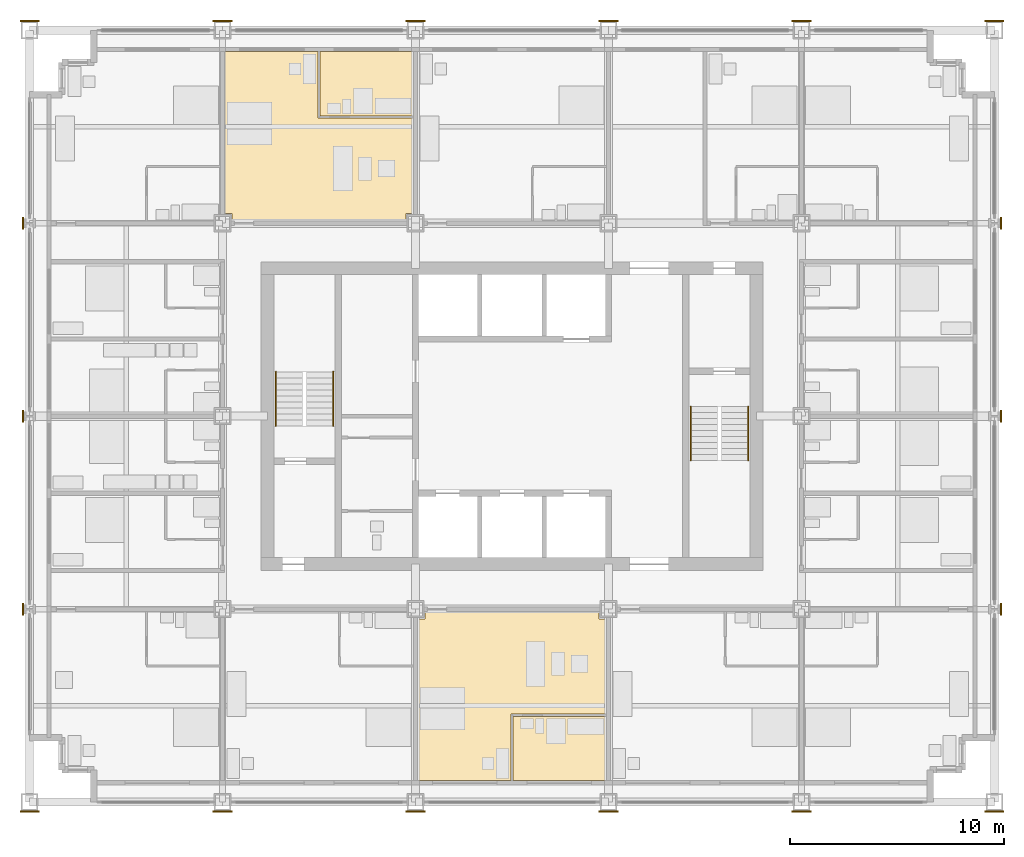
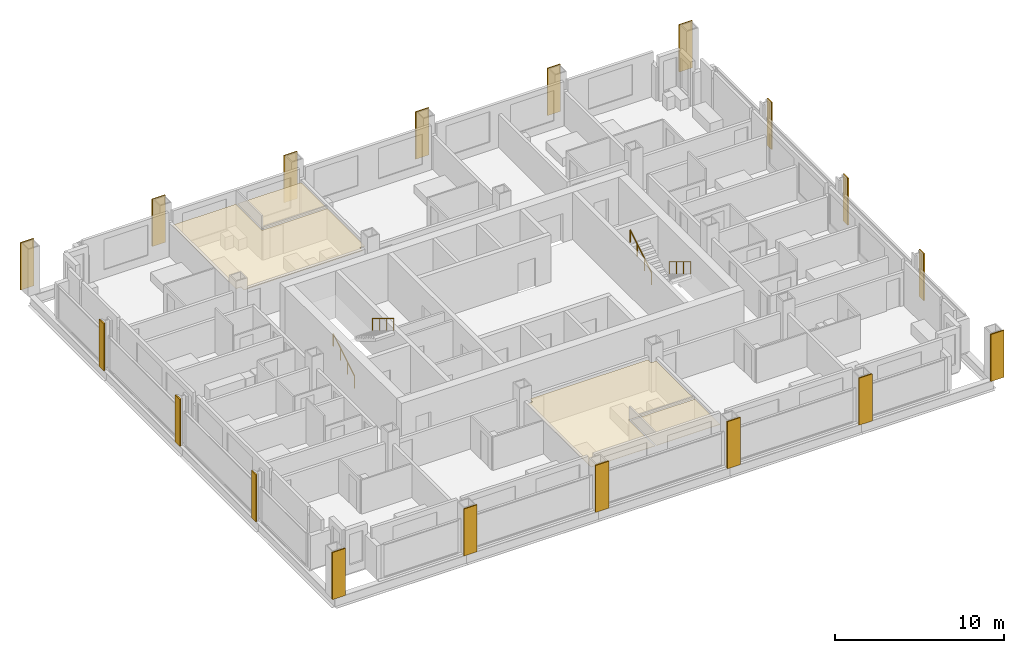
# One storey, part 14 of 16: 22 coverings, 4 railings.
"""IFC4 building model written with IfcOpenShell, lengths in metres."""

from ifc_helpers import new_model, si_unit, direction, frame, origin, origin_2d, place, context, subcontext, project, spatial, polyline, rectangle, circle, outline, extrude, material, layer, layer_set, type_object, element, save


model = new_model("IFC4")

# Units and contexts
model_context = context("Model", 3, precision=1e-05, world=origin(), true_north=direction((0.0, 1.0)))
body_context = subcontext(model_context, "Body", "Model", "MODEL_VIEW")
ifc_project = project(units=[si_unit("LENGTHUNIT", "METRE"), si_unit("AREAUNIT", "SQUARE_METRE"), si_unit("VOLUMEUNIT", "CUBIC_METRE"), si_unit("PLANEANGLEUNIT", "RADIAN"), si_unit("MASSUNIT", "GRAM", prefix="KILO")], contexts=[model_context])

# Site, building, storey
site_placement = place(None, origin())
site = spatial("IfcSite", under=ifc_project, at=site_placement, CompositionType="ELEMENT")
building_placement = place(site_placement, origin())
building = spatial("IfcBuilding", under=site, at=building_placement, Name="Loomwork Tower", CompositionType="ELEMENT")
storey_placement = place(building_placement, frame((0.0, 0.0, 111.199951171875)))
storey = spatial("IfcBuildingStorey", under=building, at=storey_placement, Name="L29", CompositionType="ELEMENT", Elevation=111.199951171875)

# Railings
ifc_material_1 = material(Name="Stainless steel handrail", Category="steel")
railing_type = type_object("IfcRailingType", Name="Handrail 900", PredefinedType="HANDRAIL", material=ifc_material_1)
railing_1_placement = place(storey_placement, frame((11.485107421875, 17.550048828125, 0.170166015625)))
element("IfcRailing", 1, at=railing_1_placement, inside=storey, type_object=railing_type, Name="Stair A handrail flight 1 L29", PredefinedType="HANDRAIL", context=body_context, shape_type="SweptSolid", body=[
    extrude(circle(Radius=0.02392578125, at=origin_2d()), frame((0.0, 0.0, 0.8759765625), z_axis=(0.0, 0.854821627497, 0.518921945155), x_axis=(-1.0, 0.0, 0.0)), (0.0, 0.0, 1.0), 2.947998046875),
    extrude(circle(Radius=0.02099609375, at=origin_2d()), origin(), (0.0, 0.0, 1.0), 0.851806640625),
    extrude(circle(Radius=0.02099609375, at=origin_2d()), frame((0.0, 0.840087890625, 0.510009765625)), (0.0, 0.0, 1.0), 0.851806640625),
    extrude(circle(Radius=0.02099609375, at=origin_2d()), frame((0.0, 1.679931640625, 1.019775390625)), (0.0, 0.0, 1.0), 0.851806640625),
    extrude(circle(Radius=0.02099609375, at=origin_2d()), frame((0.0, 2.52001953125, 1.52978515625)), (0.0, 0.0, 1.0), 0.851806640625),
])
railing_2_placement = place(storey_placement, frame((14.1650390625, 20.070068359375, 1.8701171875)))
element("IfcRailing", 2, at=railing_2_placement, inside=storey, type_object=railing_type, Name="Stair A handrail flight 2 L29", PredefinedType="HANDRAIL", context=body_context, shape_type="SweptSolid", body=[
    extrude(circle(Radius=0.02392578125, at=origin_2d()), frame((0.0, 0.0, 0.8759765625), z_axis=(0.0, -0.85478489116, 0.518982456201), x_axis=(1.0, 0.0, 0.0)), (0.0, 0.0, 1.0), 2.9482421875),
    extrude(circle(Radius=0.02099609375, at=origin_2d()), origin(), (0.0, 0.0, 1.0), 0.851806640625),
    extrude(circle(Radius=0.02099609375, at=origin_2d()), frame((0.0, -0.840087890625, 0.510009765625)), (0.0, 0.0, 1.0), 0.851806640625),
    extrude(circle(Radius=0.02099609375, at=origin_2d()), frame((0.0, -1.679931640625, 1.02001953125)), (0.0, 0.0, 1.0), 0.851806640625),
    extrude(circle(Radius=0.02099609375, at=origin_2d()), frame((0.0, -2.52001953125, 1.530029296875)), (0.0, 0.0, 1.0), 0.851806640625),
])
railing_3_placement = place(storey_placement, frame((33.514892578125, 18.449951171875, 0.170166015625)))
element("IfcRailing", 3, at=railing_3_placement, inside=storey, type_object=railing_type, Name="Stair B handrail flight 1 L29", PredefinedType="HANDRAIL", context=body_context, shape_type="SweptSolid", body=[
    extrude(circle(Radius=0.02392578125, at=origin_2d()), frame((0.0, 0.0, 0.8759765625), z_axis=(0.0, -0.854821627497, 0.518921945155), x_axis=(1.0, 0.0, 0.0)), (0.0, 0.0, 1.0), 2.947998046875),
    extrude(circle(Radius=0.02099609375, at=origin_2d()), origin(), (0.0, 0.0, 1.0), 0.851806640625),
    extrude(circle(Radius=0.02099609375, at=origin_2d()), frame((0.0, -0.840087890625, 0.510009765625)), (0.0, 0.0, 1.0), 0.851806640625),
    extrude(circle(Radius=0.02099609375, at=origin_2d()), frame((0.0, -1.679931640625, 1.019775390625)), (0.0, 0.0, 1.0), 0.851806640625),
    extrude(circle(Radius=0.02099609375, at=origin_2d()), frame((0.0, -2.52001953125, 1.52978515625)), (0.0, 0.0, 1.0), 0.851806640625),
])
railing_4_placement = place(storey_placement, frame((30.8349609375, 15.929931640625, 1.8701171875)))
element("IfcRailing", 4, at=railing_4_placement, inside=storey, type_object=railing_type, Name="Stair B handrail flight 2 L29", PredefinedType="HANDRAIL", context=body_context, shape_type="SweptSolid", body=[
    extrude(circle(Radius=0.02392578125, at=origin_2d()), frame((0.0, 0.0, 0.8759765625), z_axis=(0.0, 0.85478489116, 0.518982456201), x_axis=(-1.0, 0.0, 0.0)), (0.0, 0.0, 1.0), 2.9482421875),
    extrude(circle(Radius=0.02099609375, at=origin_2d()), origin(), (0.0, 0.0, 1.0), 0.851806640625),
    extrude(circle(Radius=0.02099609375, at=origin_2d()), frame((0.0, 0.840087890625, 0.510009765625)), (0.0, 0.0, 1.0), 0.851806640625),
    extrude(circle(Radius=0.02099609375, at=origin_2d()), frame((0.0, 1.679931640625, 1.02001953125)), (0.0, 0.0, 1.0), 0.851806640625),
    extrude(circle(Radius=0.02099609375, at=origin_2d()), frame((0.0, 2.52001953125, 1.530029296875)), (0.0, 0.0, 1.0), 0.851806640625),
])

# Coverings
ifc_material_2 = material(Name="Limestone", Category="masonry")
ifc_layer_1 = layer(ifc_material_2, 0.080078125)
ifc_layer_set_1 = layer_set([ifc_layer_1], Name="Limestone pier facing 80")
covering_type_1 = type_object("IfcCoveringType", Name="Limestone pier facing 80", PredefinedType="CLADDING", material=ifc_layer_set_1)
covering_1_placement = place(storey_placement, frame((0.0, -0.43994140625, 0.0), z_axis=(0.0, 0.0, 1.0), x_axis=(1.0, 0.0, 0.0)))
element("IfcCovering", 5, at=covering_1_placement, inside=storey, type_object=covering_type_1, Name="Pier facing D/2 L29", PredefinedType="CLADDING", context=body_context, shape_type="SweptSolid", body=[
    extrude(rectangle(XDim=0.89990234375, YDim=0.080078125, at=origin_2d()), origin(), (0.0, 0.0, 1.0), 3.39990234375),
])
for number, where, z_axis, x_axis, name in (
    (6, (-0.314208984375, 9.0, 0.0), (0.0, 0.0, 1.0), (1.0, 0.0, 0.0), "Pier facing E/2 L29"),
    (7, (-0.314208984375, 18.0, 0.0), (0.0, 0.0, 1.0), (1.0, 0.0, 0.0), "Pier facing F/2 L29"),
    (8, (-0.314208984375, 27.0, 0.0), (0.0, 0.0, 1.0), (1.0, 0.0, 0.0), "Pier facing G/2 L29"),
):
    element("IfcCovering", number, at=place(storey_placement, frame(where, z_axis=z_axis, x_axis=x_axis)), inside=storey, type_object=covering_type_1, Name=name, PredefinedType="CLADDING", context=body_context, shape_type="SweptSolid", body=[
        extrude(rectangle(XDim=0.080078125, YDim=0.549560546875, at=origin_2d()), origin(), (0.0, 0.0, 1.0), 3.39990234375),
    ])
for number, where, z_axis, x_axis, name in (
    (9, (0.0, 36.43994140625, 0.0), (0.0, 0.0, 1.0), (1.0, 0.0, 0.0), "Pier facing H/2 L29"),
    (10, (9.0, -0.43994140625, 0.0), (0.0, 0.0, 1.0), (1.0, 0.0, 0.0), "Pier facing D/3 L29"),
    (11, (9.0, 36.43994140625, 0.0), (0.0, 0.0, 1.0), (1.0, 0.0, 0.0), "Pier facing H/3 L29"),
    (12, (18.0, -0.43994140625, 0.0), (0.0, 0.0, 1.0), (1.0, 0.0, 0.0), "Pier facing D/4 L29"),
    (13, (18.0, 36.43994140625, 0.0), (0.0, 0.0, 1.0), (1.0, 0.0, 0.0), "Pier facing H/4 L29"),
    (14, (27.0, -0.43994140625, 0.0), (0.0, 0.0, 1.0), (1.0, 0.0, 0.0), "Pier facing D/5 L29"),
    (15, (27.0, 36.43994140625, 0.0), (0.0, 0.0, 1.0), (1.0, 0.0, 0.0), "Pier facing H/5 L29"),
    (16, (36.0, -0.43994140625, 0.0), (0.0, 0.0, 1.0), (1.0, 0.0, 0.0), "Pier facing D/6 L29"),
    (17, (36.0, 36.43994140625, 0.0), (0.0, 0.0, 1.0), (1.0, 0.0, 0.0), "Pier facing H/6 L29"),
    (18, (45.0, -0.43994140625, 0.0), (0.0, 0.0, 1.0), (1.0, 0.0, 0.0), "Pier facing D/7 L29"),
):
    element("IfcCovering", number, at=place(storey_placement, frame(where, z_axis=z_axis, x_axis=x_axis)), inside=storey, type_object=covering_type_1, Name=name, PredefinedType="CLADDING", context=body_context, shape_type="SweptSolid", body=[
        extrude(rectangle(XDim=0.89990234375, YDim=0.080078125, at=origin_2d()), origin(), (0.0, 0.0, 1.0), 3.39990234375),
    ])
for number, where, z_axis, x_axis, name in (
    (19, (45.314208984375, 9.0, 0.0), (0.0, 0.0, 1.0), (1.0, 0.0, 0.0), "Pier facing E/7 L29"),
    (20, (45.314208984375, 18.0, 0.0), (0.0, 0.0, 1.0), (1.0, 0.0, 0.0), "Pier facing F/7 L29"),
    (21, (45.314208984375, 27.0, 0.0), (0.0, 0.0, 1.0), (1.0, 0.0, 0.0), "Pier facing G/7 L29"),
):
    element("IfcCovering", number, at=place(storey_placement, frame(where, z_axis=z_axis, x_axis=x_axis)), inside=storey, type_object=covering_type_1, Name=name, PredefinedType="CLADDING", context=body_context, shape_type="SweptSolid", body=[
        extrude(rectangle(XDim=0.080078125, YDim=0.549560546875, at=origin_2d()), origin(), (0.0, 0.0, 1.0), 3.39990234375),
    ])
covering_2_placement = place(storey_placement, frame((45.0, 36.43994140625, 0.0), z_axis=(0.0, 0.0, 1.0), x_axis=(1.0, 0.0, 0.0)))
element("IfcCovering", 22, at=covering_2_placement, inside=storey, type_object=covering_type_1, Name="Pier facing H/7 L29", PredefinedType="CLADDING", context=body_context, shape_type="SweptSolid", body=[
    extrude(rectangle(XDim=0.89990234375, YDim=0.080078125, at=origin_2d()), origin(), (0.0, 0.0, 1.0), 3.39990234375),
])
ifc_material_3 = material(Name="Mineral fibre acoustic tile on suspension grid")
ifc_layer_2 = layer(ifc_material_3, 0.02490234375)
ifc_layer_set_2 = layer_set([ifc_layer_2], Name="Suspended acoustic ceiling")
covering_type_2 = type_object("IfcCoveringType", Name="Suspended acoustic ceiling", PredefinedType="CEILING", material=ifc_layer_set_2)
covering_3_placement = place(storey_placement, frame((0.0, 0.0, 2.175048828125)))
element("IfcCovering", 23, at=covering_3_placement, inside=storey, type_object=covering_type_2, Name="Ceiling Spa bathroom L29", PredefinedType="CEILING", context=body_context, shape_type="SweptSolid", body=[
    extrude(outline(polyline([(26.89990234375, 4.0), (26.89990234375, 1.0), (22.550048828125, 1.0), (22.550048828125, 4.0), (26.89990234375, 4.0)])), origin(), (0.0, 0.0, 1.0), 0.02490234375),
])
covering_4_placement = place(storey_placement, frame((0.0, 0.0, 2.175048828125)))
element("IfcCovering", 24, at=covering_4_placement, inside=storey, type_object=covering_type_2, Name="Ceiling Spa suite L29", PredefinedType="CEILING", context=body_context, shape_type="SweptSolid", body=[
    extrude(outline(polyline([(26.550048828125, 8.89990234375), (26.550048828125, 8.550048828125), (26.89990234375, 8.550048828125), (26.89990234375, 4.10009765625), (22.449951171875, 4.10009765625), (22.449951171875, 1.0), (18.10009765625, 1.0), (18.10009765625, 8.550048828125), (18.449951171875, 8.550048828125), (18.449951171875, 8.89990234375), (26.550048828125, 8.89990234375)])), origin(), (0.0, 0.0, 1.0), 0.02490234375),
])
covering_5_placement = place(storey_placement, frame((0.0, 0.0, 2.175048828125)))
element("IfcCovering", 25, at=covering_5_placement, inside=storey, type_object=covering_type_2, Name="Ceiling Spa bathroom L29", PredefinedType="CEILING", context=body_context, shape_type="SweptSolid", body=[
    extrude(outline(polyline([(13.550048828125, 35.0), (17.89990234375, 35.0), (17.89990234375, 32.0), (13.550048828125, 32.0), (13.550048828125, 35.0)])), origin(), (0.0, 0.0, 1.0), 0.02490234375),
])
covering_6_placement = place(storey_placement, frame((0.0, 0.0, 2.175048828125)))
element("IfcCovering", 26, at=covering_6_placement, inside=storey, type_object=covering_type_2, Name="Ceiling Spa suite L29", PredefinedType="CEILING", context=body_context, shape_type="SweptSolid", body=[
    extrude(outline(polyline([(9.10009765625, 35.0), (13.449951171875, 35.0), (13.449951171875, 31.89990234375), (17.89990234375, 31.89990234375), (17.89990234375, 27.449951171875), (17.550048828125, 27.449951171875), (17.550048828125, 27.10009765625), (9.449951171875, 27.10009765625), (9.449951171875, 27.449951171875), (9.10009765625, 27.449951171875), (9.10009765625, 35.0)])), origin(), (0.0, 0.0, 1.0), 0.02490234375),
])

save(model, "model.ifc")
